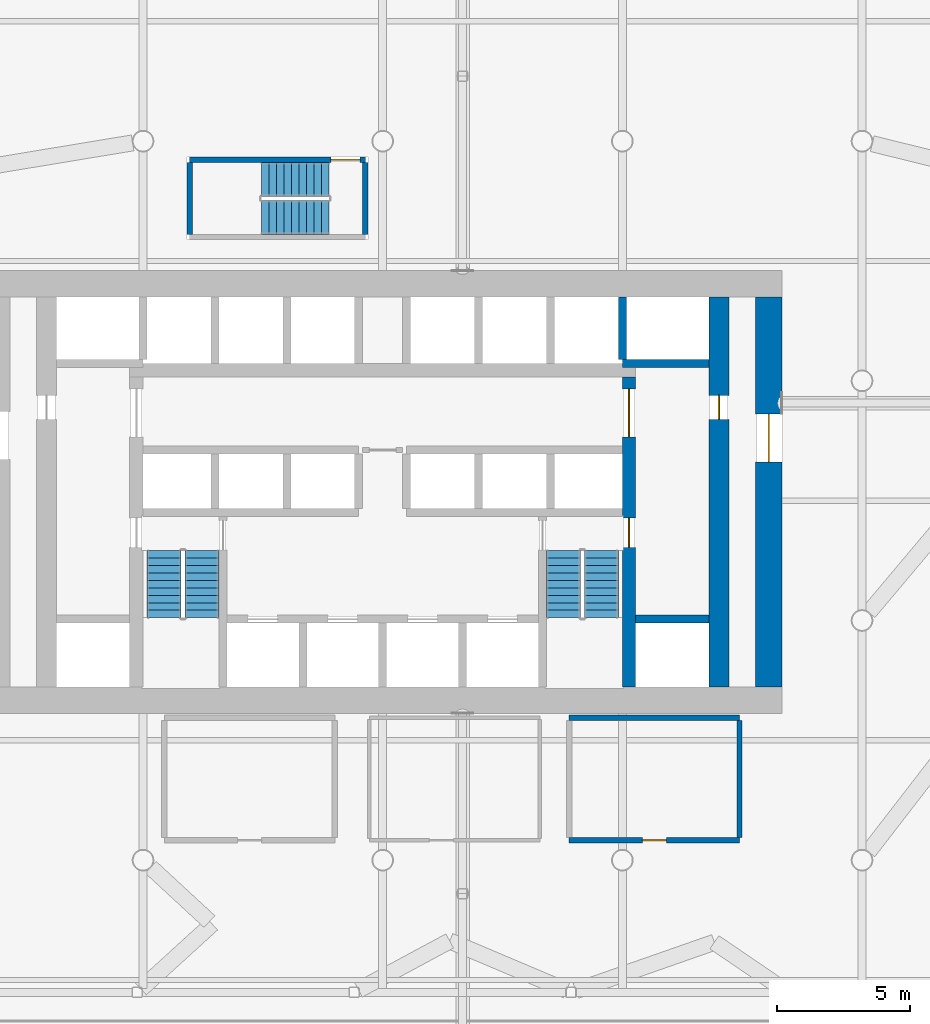
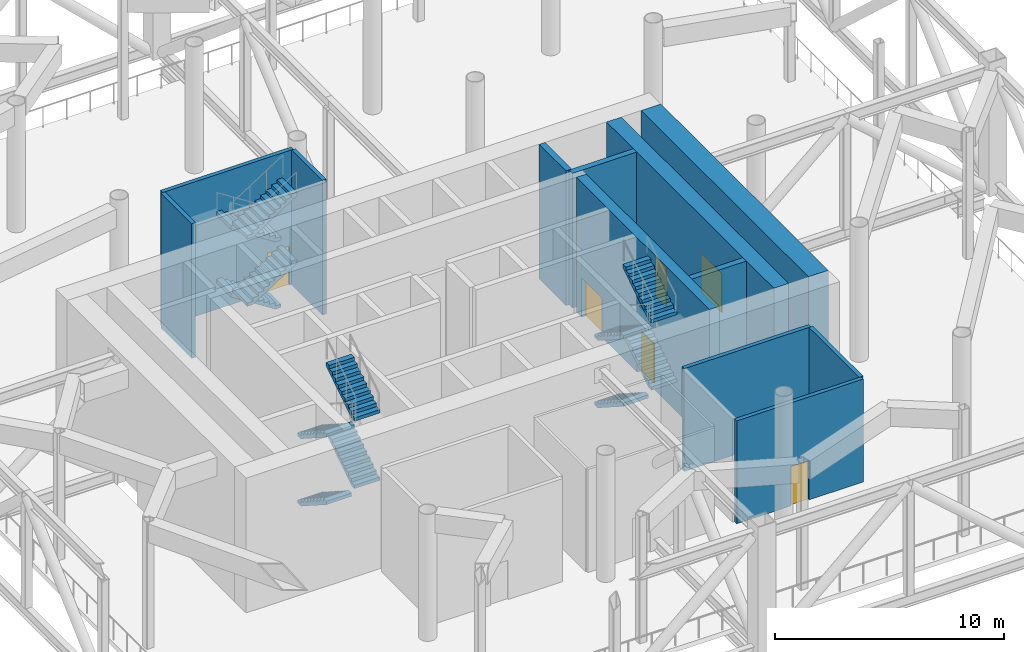
# One storey, part 13 of 20: 12 stair flights, 12 walls, 6 doors, 6 openings, 3 elements without a shape of their own.
"""IFC4 building model written with IfcOpenShell, lengths in metres."""

from ifc_helpers import new_model, si_unit, direction, frame, frame_2d, origin, place, context, subcontext, project, spatial, polyline, rectangle, outline, extrude, material, layer, layer_set, type_object, element, fill, aggregate, save


model = new_model("IFC4")

# Units and contexts
model_context = context("Model", 3, precision=1e-05, world=origin(), true_north=direction((0.0, 1.0)))
body_context = subcontext(model_context, "Body", "Model", "MODEL_VIEW")
ifc_project = project(units=[si_unit("LENGTHUNIT", "METRE"), si_unit("AREAUNIT", "SQUARE_METRE"), si_unit("VOLUMEUNIT", "CUBIC_METRE"), si_unit("PLANEANGLEUNIT", "RADIAN"), si_unit("MASSUNIT", "GRAM", prefix="KILO")], contexts=[model_context])

# Site, building, storey
site_placement = place(None, origin())
site = spatial("IfcSite", under=ifc_project, at=site_placement, CompositionType="ELEMENT")
building_placement = place(site_placement, origin())
building = spatial("IfcBuilding", under=site, at=building_placement, Name="Tskaro Facet Tower", CompositionType="ELEMENT")
storey_placement = place(building_placement, frame((0.0, 0.0, 114.300048828125)))
storey = spatial("IfcBuildingStorey", under=building, at=storey_placement, Name="L27", CompositionType="ELEMENT", Elevation=114.300048828125)

# Walls
ifc_material_1 = material(Name="Concrete C60/75", Category="concrete")
ifc_layer_1 = layer(ifc_material_1, 0.300048828125, Name="Concrete C60/75")
ifc_layer_set_1 = layer_set([ifc_layer_1], Name="Concrete C60/75")
wall_type_1 = type_object("IfcWallType", Name="CORE-SHAFT", PredefinedType="SHEAR", material=ifc_layer_set_1)
wall_1_placement = place(storey_placement, frame((9.5, -8.949951171875, 0.0), z_axis=(0.0, 0.0, 1.0), x_axis=(1.0, 0.0, 0.0)))
element("IfcWall", 1, at=wall_1_placement, inside=storey, type_object=wall_type_1, Name="Shaft wall W009", PredefinedType="SHEAR", context=body_context, shape_type="SweptSolid", body=[
    extrude(rectangle(XDim=2.75, YDim=0.300048828125, at=frame_2d((1.375, 0.0))), origin(), (0.0, 0.0, 1.0), 7.199951171875),
])
wall_2_placement = place(storey_placement, frame((12.25, 0.64990234375, 0.0), z_axis=(0.0, 0.0, 1.0), x_axis=(-1.0, 0.0, 0.0)))
element("IfcWall", 2, at=wall_2_placement, inside=storey, type_object=wall_type_1, Name="Shaft wall W016", PredefinedType="SHEAR", context=body_context, shape_type="SweptSolid", body=[
    extrude(rectangle(XDim=3.25, YDim=0.300048828125, at=frame_2d((1.625, 0.0))), origin(), (0.0, 0.0, 1.0), 7.199951171875),
])
wall_3_placement = place(storey_placement, frame((9.0, 0.800048828125, 0.0), z_axis=(0.0, 0.0, 1.0), x_axis=(0.0, 1.0, 0.0)))
element("IfcWall", 3, at=wall_3_placement, inside=storey, type_object=wall_type_1, Name="Shaft wall W044", PredefinedType="SHEAR", context=body_context, shape_type="SweptSolid", body=[
    extrude(rectangle(XDim=2.349853515625, YDim=0.300048828125, at=frame_2d((1.1748046875, 0.0))), origin(), (0.0, 0.0, 1.0), 7.199951171875),
])

# Wall, opening, door
ifc_layer_2 = layer(ifc_material_1, 1.0, Name="Concrete C60/75")
ifc_layer_set_2 = layer_set([ifc_layer_2], Name="Concrete C60/75")
wall_type_2 = type_object("IfcWallType", Name="Core wall 1000", PredefinedType="SHEAR", material=ifc_layer_set_2)
wall_4_placement = place(storey_placement, frame((14.5, -11.5, 0.0), z_axis=(0.0, 0.0, 1.0), x_axis=(0.0, 1.0, 0.0)))
wall_4 = element("IfcWall", 4, at=wall_4_placement, inside=storey, type_object=wall_type_2, Name="Core wall CW-Z1E", PredefinedType="SHEAR", context=body_context, shape_type="SweptSolid", body=[
    extrude(rectangle(XDim=14.64990234375, YDim=1.0, at=frame_2d((7.324951171875, 0.0))), origin(), (0.0, 0.0, 1.0), 7.199951171875),
])
opening_1_placement = place(wall_4_placement, frame((8.449951171875, 0.0, 0.0)))
opening_1 = element("IfcOpeningElement", 5, at=opening_1_placement, cuts=wall_4, Name="Opening W27-D11", PredefinedType="OPENING", context=body_context, shape_type="SweptSolid", body=[
    extrude(rectangle(XDim=1.800048828125, YDim=2.10009765625, at=frame_2d((0.89990234375, 1.050048828125))), frame((0.0, 0.510009765625, 0.0), z_axis=(0.0, -1.0, 0.0), x_axis=(1.0, 0.0, 0.0)), (0.0, 0.0, 1.0), 1.02001953125),
])
ifc_material_2 = material(Name="Steel", Category="steel")
door_type_1 = type_object("IfcDoorType", Name="D-CORE-PAIR", OperationType="NOTDEFINED", PredefinedType="DOOR", material=ifc_material_2)
door_1_placement = place(opening_1_placement, origin())
door_1 = element("IfcDoor", 6, at=door_1_placement, inside=storey, type_object=door_type_1, Name="Door W27-D11", OperationType="DOUBLE_DOOR_SINGLE_SWING", OverallHeight=2.10009765625, OverallWidth=1.800048828125, PredefinedType="DOOR", context=body_context, shape_type="SweptSolid", body=[
    extrude(rectangle(XDim=1.800048828125, YDim=2.10009765625, at=frame_2d((0.89990234375, 1.050048828125))), frame((0.0, 0.02490234375, 0.0), z_axis=(0.0, -1.0, 0.0), x_axis=(1.0, 0.0, 0.0)), (0.0, 0.0, 1.0), 0.050048828125),
])
fill(opening_1, door_1)

# Wall, openings, doors
ifc_material_3 = material(Name="Concrete C40/50", Category="concrete")
ifc_layer_3 = layer(ifc_material_3, 0.5, Name="Concrete C40/50")
ifc_layer_set_3 = layer_set([ifc_layer_3], Name="Concrete C40/50")
wall_type_3 = type_object("IfcWallType", Name="Core wall 500", PredefinedType="SHEAR", material=ifc_layer_set_3)
wall_5_placement = place(storey_placement, frame((9.25, -11.5, 0.0), z_axis=(0.0, 0.0, 1.0), x_axis=(0.0, 1.0, 0.0)))
wall_5 = element("IfcWall", 7, at=wall_5_placement, inside=storey, type_object=wall_type_3, Name="Core wall CW-Z3E", PredefinedType="SHEAR", context=body_context, shape_type="SweptSolid", body=[
    extrude(rectangle(XDim=11.64990234375, YDim=0.5, at=frame_2d((5.824951171875, 0.0))), origin(), (0.0, 0.0, 1.0), 7.199951171875),
])
opening_2_placement = place(wall_5_placement, frame((9.39990234375, 0.0, 0.0)))
opening_2 = element("IfcOpeningElement", 8, at=opening_2_placement, cuts=wall_5, Name="Opening W27-D07", PredefinedType="OPENING", context=body_context, shape_type="SweptSolid", body=[
    extrude(rectangle(XDim=1.800048828125, YDim=2.10009765625, at=frame_2d((0.89990234375, 1.050048828125))), frame((0.0, 0.260009765625, 0.0), z_axis=(0.0, -1.0, 0.0), x_axis=(1.0, 0.0, 0.0)), (0.0, 0.0, 1.0), 0.52001953125),
])
opening_3_placement = place(wall_5_placement, frame((5.25, 0.0, 0.0)))
opening_3 = element("IfcOpeningElement", 9, at=opening_3_placement, cuts=wall_5, Name="Opening ST-2-D2", PredefinedType="OPENING", context=body_context, shape_type="SweptSolid", body=[
    extrude(rectangle(XDim=1.10009765625, YDim=2.10009765625, at=frame_2d((0.550048828125, 1.050048828125))), frame((0.0, 0.260009765625, 0.0), z_axis=(0.0, -1.0, 0.0), x_axis=(1.0, 0.0, 0.0)), (0.0, 0.0, 1.0), 0.52001953125),
])
door_2_placement = place(opening_2_placement, origin())
door_2 = element("IfcDoor", 10, at=door_2_placement, inside=storey, type_object=door_type_1, Name="Door W27-D07", OperationType="DOUBLE_DOOR_SINGLE_SWING", OverallHeight=2.10009765625, OverallWidth=1.800048828125, PredefinedType="DOOR", context=body_context, shape_type="SweptSolid", body=[
    extrude(rectangle(XDim=1.800048828125, YDim=2.10009765625, at=frame_2d((0.89990234375, 1.050048828125))), frame((0.0, 0.02490234375, 0.0), z_axis=(0.0, -1.0, 0.0), x_axis=(1.0, 0.0, 0.0)), (0.0, 0.0, 1.0), 0.050048828125),
])
fill(opening_2, door_2)
door_type_2 = type_object("IfcDoorType", Name="D-STAIR", OperationType="NOTDEFINED", PredefinedType="DOOR", material=ifc_material_2)
door_3_placement = place(opening_3_placement, origin())
door_3 = element("IfcDoor", 11, at=door_3_placement, inside=storey, type_object=door_type_2, Name="Stair door 2 east", OperationType="SINGLE_SWING_LEFT", OverallHeight=2.10009765625, OverallWidth=1.10009765625, PredefinedType="DOOR", context=body_context, shape_type="SweptSolid", body=[
    extrude(rectangle(XDim=1.10009765625, YDim=2.10009765625, at=frame_2d((0.550048828125, 1.050048828125))), frame((0.0, 0.02490234375, 0.0), z_axis=(0.0, -1.0, 0.0), x_axis=(1.0, 0.0, 0.0)), (0.0, 0.0, 1.0), 0.050048828125),
])
fill(opening_3, door_3)

# Wall, opening, door
ifc_material_4 = material(Name="Concrete C50/60", Category="concrete")
ifc_layer_4 = layer(ifc_material_4, 0.75, Name="Concrete C50/60")
ifc_layer_set_4 = layer_set([ifc_layer_4], Name="Concrete C50/60")
wall_type_4 = type_object("IfcWallType", Name="Core wall 750", PredefinedType="SHEAR", material=ifc_layer_set_4)
wall_6_placement = place(storey_placement, frame((12.625, -11.5, 0.0), z_axis=(0.0, 0.0, 1.0), x_axis=(0.0, 1.0, 0.0)))
wall_6 = element("IfcWall", 12, at=wall_6_placement, inside=storey, type_object=wall_type_4, Name="Core wall CW-Z2E", PredefinedType="SHEAR", context=body_context, shape_type="SweptSolid", body=[
    extrude(rectangle(XDim=14.64990234375, YDim=0.75, at=frame_2d((7.324951171875, 0.0))), origin(), (0.0, 0.0, 1.0), 7.199951171875),
])
opening_4_placement = place(wall_6_placement, frame((10.050048828125, 0.0, 0.0)))
opening_4 = element("IfcOpeningElement", 13, at=opening_4_placement, cuts=wall_6, Name="Opening W27-D10", PredefinedType="OPENING", context=body_context, shape_type="SweptSolid", body=[
    extrude(rectangle(XDim=0.89990234375, YDim=2.10009765625, at=frame_2d((0.449951171875, 1.050048828125))), frame((0.0, 0.385009765625, 0.0), z_axis=(0.0, -1.0, 0.0), x_axis=(1.0, 0.0, 0.0)), (0.0, 0.0, 1.0), 0.77001953125),
])
ifc_material_5 = material(Name="Timber", Category="wood")
door_type_3 = type_object("IfcDoorType", Name="D-ROOM", OperationType="NOTDEFINED", PredefinedType="DOOR", material=ifc_material_5)
door_4_placement = place(opening_4_placement, origin())
door_4 = element("IfcDoor", 14, at=door_4_placement, inside=storey, type_object=door_type_3, Name="Door W27-D10", OperationType="SINGLE_SWING_LEFT", OverallHeight=2.10009765625, OverallWidth=0.89990234375, PredefinedType="DOOR", context=body_context, shape_type="SweptSolid", body=[
    extrude(rectangle(XDim=0.89990234375, YDim=2.10009765625, at=frame_2d((0.449951171875, 1.050048828125))), frame((0.0, 0.02490234375, 0.0), z_axis=(0.0, -1.0, 0.0), x_axis=(1.0, 0.0, 0.0)), (0.0, 0.0, 1.0), 0.050048828125),
])
fill(opening_4, door_4)

ifc_layer_5 = layer(ifc_material_1, 0.199951171875, Name="Concrete C60/75")
ifc_layer_set_5 = layer_set([ifc_layer_5], Name="Concrete C60/75")
wall_type_5 = type_object("IfcWallType", Name="STAIR-WALL", PredefinedType="SHEAR", material=ifc_layer_set_5)
wall_7_placement = place(storey_placement, frame((-0.64990234375, 8.300048828125, 0.0), z_axis=(0.0, 0.0, 1.0), x_axis=(-1.0, 0.0, 0.0)))
wall_7 = element("IfcWall", 15, at=wall_7_placement, inside=storey, type_object=wall_type_5, Name="Stair wall W018", PredefinedType="SHEAR", context=body_context, shape_type="SweptSolid", body=[
    extrude(rectangle(XDim=6.60009765625, YDim=0.199951171875, at=frame_2d((3.300048828125, 0.0))), origin(), (0.0, 0.0, 1.0), 7.199951171875),
])
opening_5_placement = place(wall_7_placement, frame((0.199951171875, 0.0, 0.0)))
opening_5 = element("IfcOpeningElement", 16, at=opening_5_placement, cuts=wall_7, Name="Opening ST-3-D1", PredefinedType="OPENING", context=body_context, shape_type="SweptSolid", body=[
    extrude(rectangle(XDim=1.10009765625, YDim=2.10009765625, at=frame_2d((0.550048828125, 1.050048828125))), frame((0.0, 0.10986328125, 0.0), z_axis=(0.0, -1.0, 0.0), x_axis=(1.0, 0.0, 0.0)), (0.0, 0.0, 1.0), 0.219970703125),
])
door_5_placement = place(opening_5_placement, origin())
door_5 = element("IfcDoor", 17, at=door_5_placement, inside=storey, type_object=door_type_2, Name="Stair door 3", OperationType="SINGLE_SWING_RIGHT", OverallHeight=2.10009765625, OverallWidth=1.10009765625, PredefinedType="DOOR", context=body_context, shape_type="SweptSolid", body=[
    extrude(rectangle(XDim=1.10009765625, YDim=2.10009765625, at=frame_2d((0.550048828125, 1.050048828125))), frame((0.0, 0.02490234375, 0.0), z_axis=(0.0, -1.0, 0.0), x_axis=(1.0, 0.0, 0.0)), (0.0, 0.0, 1.0), 0.050048828125),
])
fill(opening_5, door_5)

# Walls
for number, where, z_axis, x_axis, name in (
    (18, (-7.25, 5.5, 0.0), (0.0, 0.0, 1.0), (0.0, 1.0, 0.0), "Stair wall W021"),
    (19, (-0.64990234375, 5.5, 0.0), (0.0, 0.0, 1.0), (0.0, 1.0, 0.0), "Stair wall W031"),
):
    element("IfcWall", number, at=place(storey_placement, frame(where, z_axis=z_axis, x_axis=x_axis)), inside=storey, type_object=wall_type_5, Name=name, PredefinedType="SHEAR", context=body_context, shape_type="SweptSolid", body=[
        extrude(rectangle(XDim=2.699951171875, YDim=0.199951171875, at=frame_2d((1.35009765625, 0.0))), origin(), (0.0, 0.0, 1.0), 7.199951171875),
    ])

# Wall, opening, door
ifc_material_6 = material(Name="Concrete C20/25", Category="concrete")
ifc_layer_6 = layer(ifc_material_6, 0.199951171875, Name="Concrete C20/25")
ifc_layer_set_6 = layer_set([ifc_layer_6], Name="Concrete C20/25")
wall_type_6 = type_object("IfcWallType", Name="WALL-RISER", PredefinedType="SOLIDWALL", material=ifc_layer_set_6)
wall_8_placement = place(storey_placement, frame((7.0, -17.25, 0.0), z_axis=(0.0, 0.0, 1.0), x_axis=(1.0, 0.0, 0.0)))
wall_8 = element("IfcWall", 20, at=wall_8_placement, inside=storey, type_object=wall_type_6, Name="Riser room wall W003", PredefinedType="SOLIDWALL", context=body_context, shape_type="SweptSolid", body=[
    extrude(rectangle(XDim=6.39990234375, YDim=0.199951171875, at=frame_2d((3.199951171875, 0.0))), origin(), (0.0, 0.0, 1.0), 5.5),
])
opening_6_placement = place(wall_8_placement, frame((2.75, 0.0, 0.0)))
opening_6 = element("IfcOpeningElement", 21, at=opening_6_placement, cuts=wall_8, Name="Opening W27-D03", PredefinedType="OPENING", context=body_context, shape_type="SweptSolid", body=[
    extrude(rectangle(XDim=0.89990234375, YDim=2.10009765625, at=frame_2d((0.449951171875, 1.050048828125))), frame((0.0, 0.10986328125, 0.0), z_axis=(0.0, -1.0, 0.0), x_axis=(1.0, 0.0, 0.0)), (0.0, 0.0, 1.0), 0.219970703125),
])
door_type_4 = type_object("IfcDoorType", Name="D-RISER", OperationType="NOTDEFINED", PredefinedType="DOOR", material=ifc_material_2)
door_6_placement = place(opening_6_placement, origin())
door_6 = element("IfcDoor", 22, at=door_6_placement, inside=storey, type_object=door_type_4, Name="Door W27-D03", OperationType="SINGLE_SWING_LEFT", OverallHeight=2.10009765625, OverallWidth=0.89990234375, PredefinedType="DOOR", context=body_context, shape_type="SweptSolid", body=[
    extrude(rectangle(XDim=0.89990234375, YDim=2.10009765625, at=frame_2d((0.449951171875, 1.050048828125))), frame((0.0, 0.02490234375, 0.0), z_axis=(0.0, -1.0, 0.0), x_axis=(1.0, 0.0, 0.0)), (0.0, 0.0, 1.0), 0.050048828125),
])
fill(opening_6, door_6)

# Walls
wall_9_placement = place(storey_placement, frame((7.0, -12.64990234375, 0.0), z_axis=(0.0, 0.0, 1.0), x_axis=(1.0, 0.0, 0.0)))
element("IfcWall", 23, at=wall_9_placement, inside=storey, type_object=wall_type_6, Name="Riser room wall W006", PredefinedType="SOLIDWALL", context=body_context, shape_type="SweptSolid", body=[
    extrude(rectangle(XDim=6.39990234375, YDim=0.199951171875, at=frame_2d((3.199951171875, 0.0))), origin(), (0.0, 0.0, 1.0), 5.5),
])
wall_10_placement = place(storey_placement, frame((13.39990234375, -17.14990234375, 0.0), z_axis=(0.0, 0.0, 1.0), x_axis=(0.0, 1.0, 0.0)))
element("IfcWall", 24, at=wall_10_placement, inside=storey, type_object=wall_type_6, Name="Riser room wall W045", PredefinedType="SOLIDWALL", context=body_context, shape_type="SweptSolid", body=[
    extrude(rectangle(XDim=4.39990234375, YDim=0.199951171875, at=frame_2d((2.199951171875, 0.0))), origin(), (0.0, 0.0, 1.0), 5.5),
])

# Stair, stair flights
stair_type = type_object("IfcStairType", Name="ST-TWR", PredefinedType="HALF_TURN_STAIR", material=ifc_material_3)
stair_1_placement = place(storey_placement, origin())
stair_1 = element("IfcStair", 25, at=stair_1_placement, inside=storey, type_object=stair_type, Name="L27 Exit stair 1", PredefinedType="HALF_TURN_STAIR")
stair_flight_type = type_object("IfcStairFlightType", Name="SFL-RC", PredefinedType="STRAIGHT", material=ifc_material_3)
stair_flight_1_placement = place(storey_placement, frame((-8.21240234375, -6.375, 0.0), z_axis=(0.0, 0.0, 1.0), x_axis=(0.0, -1.0, 0.0)))
stair_flight_1 = element("IfcStairFlight", 26, at=stair_flight_1_placement, type_object=stair_flight_type, Name="ST-1 flight 1", NumberOfRisers=10, NumberOfTreads=9, PredefinedType="STRAIGHT", RiserHeight=0.18, TreadLength=0.28, context=body_context, shape_type="SweptSolid", body=[
    extrude(outline(polyline([(0.0, 0.0), (0.0, 0.179931640625), (0.280029296875, 0.179931640625), (0.280029296875, 0.360107421875), (0.56005859375, 0.360107421875), (0.56005859375, 0.5400390625), (0.840087890625, 0.5400390625), (0.840087890625, 0.719970703125), (1.1201171875, 0.719970703125), (1.1201171875, 0.89990234375), (1.39990234375, 0.89990234375), (1.39990234375, 1.080078125), (1.679931640625, 1.080078125), (1.679931640625, 1.260009765625), (1.9599609375, 1.260009765625), (1.9599609375, 1.43994140625), (2.239990234375, 1.43994140625), (2.239990234375, 1.6201171875), (2.52001953125, 1.6201171875), (2.52001953125, 1.800048828125), (2.52001953125, 1.44189453125), (0.277099609375, 0.0), (0.0, 0.0)])), frame((0.0, 0.637451171875, 0.0), z_axis=(0.0, -1.0, 0.0), x_axis=(1.0, 0.0, 0.0)), (0.0, 0.0, 1.0), 1.27490234375),
])
stair_flight_2_placement = place(storey_placement, frame((-6.78759765625, -8.89501953125, 1.800048828125), z_axis=(0.0, 0.0, 1.0), x_axis=(0.0, 1.0, 0.0)))
stair_flight_2 = element("IfcStairFlight", 27, at=stair_flight_2_placement, type_object=stair_flight_type, Name="ST-1 flight 2", NumberOfRisers=10, NumberOfTreads=9, PredefinedType="STRAIGHT", RiserHeight=0.18, TreadLength=0.28, context=body_context, shape_type="SweptSolid", body=[
    extrude(outline(polyline([(0.0, 0.0), (0.0, 0.179931640625), (0.280029296875, 0.179931640625), (0.280029296875, 0.360107421875), (0.56005859375, 0.360107421875), (0.56005859375, 0.5400390625), (0.840087890625, 0.5400390625), (0.840087890625, 0.719970703125), (1.1201171875, 0.719970703125), (1.1201171875, 0.89990234375), (1.39990234375, 0.89990234375), (1.39990234375, 1.080078125), (1.679931640625, 1.080078125), (1.679931640625, 1.260009765625), (1.9599609375, 1.260009765625), (1.9599609375, 1.43994140625), (2.239990234375, 1.43994140625), (2.239990234375, 1.6201171875), (2.52001953125, 1.6201171875), (2.52001953125, 1.800048828125), (2.52001953125, 1.44189453125), (0.277099609375, 0.0), (0.0, 0.0)])), frame((0.0, 0.637451171875, 0.0), z_axis=(0.0, -1.0, 0.0), x_axis=(1.0, 0.0, 0.0)), (0.0, 0.0, 1.0), 1.27490234375),
])
stair_flight_3_placement = place(storey_placement, frame((-8.21240234375, -6.375, 3.599853515625), z_axis=(0.0, 0.0, 1.0), x_axis=(0.0, -1.0, 0.0)))
stair_flight_3 = element("IfcStairFlight", 28, at=stair_flight_3_placement, type_object=stair_flight_type, Name="ST-1 flight 3", NumberOfRisers=10, NumberOfTreads=9, PredefinedType="STRAIGHT", RiserHeight=0.18, TreadLength=0.28, context=body_context, shape_type="SweptSolid", body=[
    extrude(outline(polyline([(0.0, 0.0), (0.0, 0.179931640625), (0.280029296875, 0.179931640625), (0.280029296875, 0.360107421875), (0.56005859375, 0.360107421875), (0.56005859375, 0.5400390625), (0.840087890625, 0.5400390625), (0.840087890625, 0.719970703125), (1.1201171875, 0.719970703125), (1.1201171875, 0.89990234375), (1.39990234375, 0.89990234375), (1.39990234375, 1.080078125), (1.679931640625, 1.080078125), (1.679931640625, 1.260009765625), (1.9599609375, 1.260009765625), (1.9599609375, 1.43994140625), (2.239990234375, 1.43994140625), (2.239990234375, 1.6201171875), (2.52001953125, 1.6201171875), (2.52001953125, 1.800048828125), (2.52001953125, 1.44189453125), (0.277099609375, 0.0), (0.0, 0.0)])), frame((0.0, 0.637451171875, 0.0), z_axis=(0.0, -1.0, 0.0), x_axis=(1.0, 0.0, 0.0)), (0.0, 0.0, 1.0), 1.27490234375),
])
stair_flight_4_placement = place(storey_placement, frame((-6.78759765625, -8.89501953125, 5.39990234375), z_axis=(0.0, 0.0, 1.0), x_axis=(0.0, 1.0, 0.0)))
stair_flight_4 = element("IfcStairFlight", 29, at=stair_flight_4_placement, type_object=stair_flight_type, Name="ST-1 flight 4", NumberOfRisers=10, NumberOfTreads=9, PredefinedType="STRAIGHT", RiserHeight=0.18, TreadLength=0.28, context=body_context, shape_type="SweptSolid", body=[
    extrude(outline(polyline([(0.0, 0.0), (0.0, 0.179931640625), (0.280029296875, 0.179931640625), (0.280029296875, 0.360107421875), (0.56005859375, 0.360107421875), (0.56005859375, 0.5400390625), (0.840087890625, 0.5400390625), (0.840087890625, 0.719970703125), (1.1201171875, 0.719970703125), (1.1201171875, 0.89990234375), (1.39990234375, 0.89990234375), (1.39990234375, 1.080078125), (1.679931640625, 1.080078125), (1.679931640625, 1.260009765625), (1.9599609375, 1.260009765625), (1.9599609375, 1.43994140625), (2.239990234375, 1.43994140625), (2.239990234375, 1.6201171875), (2.52001953125, 1.6201171875), (2.52001953125, 1.800048828125), (2.52001953125, 1.44189453125), (0.277099609375, 0.0), (0.0, 0.0)])), frame((0.0, 0.637451171875, 0.0), z_axis=(0.0, -1.0, 0.0), x_axis=(1.0, 0.0, 0.0)), (0.0, 0.0, 1.0), 1.27490234375),
])
aggregate(stair_1, [stair_flight_1, stair_flight_2, stair_flight_3, stair_flight_4])

stair_2_placement = place(storey_placement, origin())
stair_2 = element("IfcStair", 30, at=stair_2_placement, inside=storey, type_object=stair_type, Name="L27 Exit stair 2", PredefinedType="HALF_TURN_STAIR")
stair_flight_5_placement = place(storey_placement, frame((6.78759765625, -6.375, 0.0), z_axis=(0.0, 0.0, 1.0), x_axis=(0.0, -1.0, 0.0)))
stair_flight_5 = element("IfcStairFlight", 31, at=stair_flight_5_placement, type_object=stair_flight_type, Name="ST-2 flight 1", NumberOfRisers=10, NumberOfTreads=9, PredefinedType="STRAIGHT", RiserHeight=0.18, TreadLength=0.28, context=body_context, shape_type="SweptSolid", body=[
    extrude(outline(polyline([(0.0, 0.0), (0.0, 0.179931640625), (0.280029296875, 0.179931640625), (0.280029296875, 0.360107421875), (0.56005859375, 0.360107421875), (0.56005859375, 0.5400390625), (0.840087890625, 0.5400390625), (0.840087890625, 0.719970703125), (1.1201171875, 0.719970703125), (1.1201171875, 0.89990234375), (1.39990234375, 0.89990234375), (1.39990234375, 1.080078125), (1.679931640625, 1.080078125), (1.679931640625, 1.260009765625), (1.9599609375, 1.260009765625), (1.9599609375, 1.43994140625), (2.239990234375, 1.43994140625), (2.239990234375, 1.6201171875), (2.52001953125, 1.6201171875), (2.52001953125, 1.800048828125), (2.52001953125, 1.44189453125), (0.277099609375, 0.0), (0.0, 0.0)])), frame((0.0, 0.637451171875, 0.0), z_axis=(0.0, -1.0, 0.0), x_axis=(1.0, 0.0, 0.0)), (0.0, 0.0, 1.0), 1.27490234375),
])
stair_flight_6_placement = place(storey_placement, frame((8.21240234375, -8.89501953125, 1.800048828125), z_axis=(0.0, 0.0, 1.0), x_axis=(0.0, 1.0, 0.0)))
stair_flight_6 = element("IfcStairFlight", 32, at=stair_flight_6_placement, type_object=stair_flight_type, Name="ST-2 flight 2", NumberOfRisers=10, NumberOfTreads=9, PredefinedType="STRAIGHT", RiserHeight=0.18, TreadLength=0.28, context=body_context, shape_type="SweptSolid", body=[
    extrude(outline(polyline([(0.0, 0.0), (0.0, 0.179931640625), (0.280029296875, 0.179931640625), (0.280029296875, 0.360107421875), (0.56005859375, 0.360107421875), (0.56005859375, 0.5400390625), (0.840087890625, 0.5400390625), (0.840087890625, 0.719970703125), (1.1201171875, 0.719970703125), (1.1201171875, 0.89990234375), (1.39990234375, 0.89990234375), (1.39990234375, 1.080078125), (1.679931640625, 1.080078125), (1.679931640625, 1.260009765625), (1.9599609375, 1.260009765625), (1.9599609375, 1.43994140625), (2.239990234375, 1.43994140625), (2.239990234375, 1.6201171875), (2.52001953125, 1.6201171875), (2.52001953125, 1.800048828125), (2.52001953125, 1.44189453125), (0.277099609375, 0.0), (0.0, 0.0)])), frame((0.0, 0.637451171875, 0.0), z_axis=(0.0, -1.0, 0.0), x_axis=(1.0, 0.0, 0.0)), (0.0, 0.0, 1.0), 1.27490234375),
])
stair_flight_7_placement = place(storey_placement, frame((6.78759765625, -6.375, 3.599853515625), z_axis=(0.0, 0.0, 1.0), x_axis=(0.0, -1.0, 0.0)))
stair_flight_7 = element("IfcStairFlight", 33, at=stair_flight_7_placement, type_object=stair_flight_type, Name="ST-2 flight 3", NumberOfRisers=10, NumberOfTreads=9, PredefinedType="STRAIGHT", RiserHeight=0.18, TreadLength=0.28, context=body_context, shape_type="SweptSolid", body=[
    extrude(outline(polyline([(0.0, 0.0), (0.0, 0.179931640625), (0.280029296875, 0.179931640625), (0.280029296875, 0.360107421875), (0.56005859375, 0.360107421875), (0.56005859375, 0.5400390625), (0.840087890625, 0.5400390625), (0.840087890625, 0.719970703125), (1.1201171875, 0.719970703125), (1.1201171875, 0.89990234375), (1.39990234375, 0.89990234375), (1.39990234375, 1.080078125), (1.679931640625, 1.080078125), (1.679931640625, 1.260009765625), (1.9599609375, 1.260009765625), (1.9599609375, 1.43994140625), (2.239990234375, 1.43994140625), (2.239990234375, 1.6201171875), (2.52001953125, 1.6201171875), (2.52001953125, 1.800048828125), (2.52001953125, 1.44189453125), (0.277099609375, 0.0), (0.0, 0.0)])), frame((0.0, 0.637451171875, 0.0), z_axis=(0.0, -1.0, 0.0), x_axis=(1.0, 0.0, 0.0)), (0.0, 0.0, 1.0), 1.27490234375),
])
stair_flight_8_placement = place(storey_placement, frame((8.21240234375, -8.89501953125, 5.39990234375), z_axis=(0.0, 0.0, 1.0), x_axis=(0.0, 1.0, 0.0)))
stair_flight_8 = element("IfcStairFlight", 34, at=stair_flight_8_placement, type_object=stair_flight_type, Name="ST-2 flight 4", NumberOfRisers=10, NumberOfTreads=9, PredefinedType="STRAIGHT", RiserHeight=0.18, TreadLength=0.28, context=body_context, shape_type="SweptSolid", body=[
    extrude(outline(polyline([(0.0, 0.0), (0.0, 0.179931640625), (0.280029296875, 0.179931640625), (0.280029296875, 0.360107421875), (0.56005859375, 0.360107421875), (0.56005859375, 0.5400390625), (0.840087890625, 0.5400390625), (0.840087890625, 0.719970703125), (1.1201171875, 0.719970703125), (1.1201171875, 0.89990234375), (1.39990234375, 0.89990234375), (1.39990234375, 1.080078125), (1.679931640625, 1.080078125), (1.679931640625, 1.260009765625), (1.9599609375, 1.260009765625), (1.9599609375, 1.43994140625), (2.239990234375, 1.43994140625), (2.239990234375, 1.6201171875), (2.52001953125, 1.6201171875), (2.52001953125, 1.800048828125), (2.52001953125, 1.44189453125), (0.277099609375, 0.0), (0.0, 0.0)])), frame((0.0, 0.637451171875, 0.0), z_axis=(0.0, -1.0, 0.0), x_axis=(1.0, 0.0, 0.0)), (0.0, 0.0, 1.0), 1.27490234375),
])
aggregate(stair_2, [stair_flight_5, stair_flight_6, stair_flight_7, stair_flight_8])

stair_3_placement = place(storey_placement, origin())
stair_3 = element("IfcStair", 35, at=stair_3_placement, inside=storey, type_object=stair_type, Name="L27 Exit stair 3", PredefinedType="HALF_TURN_STAIR")
stair_flight_9_placement = place(storey_placement, frame((-2.02490234375, 7.5625, 0.0), z_axis=(0.0, 0.0, 1.0), x_axis=(-1.0, 0.0, 0.0)))
stair_flight_9 = element("IfcStairFlight", 36, at=stair_flight_9_placement, type_object=stair_flight_type, Name="ST-3 flight 1", NumberOfRisers=10, NumberOfTreads=9, PredefinedType="STRAIGHT", RiserHeight=0.18, TreadLength=0.28, context=body_context, shape_type="SweptSolid", body=[
    extrude(outline(polyline([(0.0, 0.0), (0.0, 0.179931640625), (0.280029296875, 0.179931640625), (0.280029296875, 0.360107421875), (0.56005859375, 0.360107421875), (0.56005859375, 0.5400390625), (0.840087890625, 0.5400390625), (0.840087890625, 0.719970703125), (1.1201171875, 0.719970703125), (1.1201171875, 0.89990234375), (1.39990234375, 0.89990234375), (1.39990234375, 1.080078125), (1.679931640625, 1.080078125), (1.679931640625, 1.260009765625), (1.9599609375, 1.260009765625), (1.9599609375, 1.43994140625), (2.239990234375, 1.43994140625), (2.239990234375, 1.6201171875), (2.52001953125, 1.6201171875), (2.52001953125, 1.800048828125), (2.52001953125, 1.44189453125), (0.277099609375, 0.0), (0.0, 0.0)])), frame((0.0, 0.637451171875, 0.0), z_axis=(0.0, -1.0, 0.0), x_axis=(1.0, 0.0, 0.0)), (0.0, 0.0, 1.0), 1.27490234375),
])
stair_flight_10_placement = place(storey_placement, frame((-4.544921875, 6.137451171875, 1.800048828125), z_axis=(0.0, 0.0, 1.0), x_axis=(1.0, 0.0, 0.0)))
stair_flight_10 = element("IfcStairFlight", 37, at=stair_flight_10_placement, type_object=stair_flight_type, Name="ST-3 flight 2", NumberOfRisers=10, NumberOfTreads=9, PredefinedType="STRAIGHT", RiserHeight=0.18, TreadLength=0.28, context=body_context, shape_type="SweptSolid", body=[
    extrude(outline(polyline([(0.0, 0.0), (0.0, 0.179931640625), (0.280029296875, 0.179931640625), (0.280029296875, 0.360107421875), (0.56005859375, 0.360107421875), (0.56005859375, 0.5400390625), (0.840087890625, 0.5400390625), (0.840087890625, 0.719970703125), (1.1201171875, 0.719970703125), (1.1201171875, 0.89990234375), (1.39990234375, 0.89990234375), (1.39990234375, 1.080078125), (1.679931640625, 1.080078125), (1.679931640625, 1.260009765625), (1.9599609375, 1.260009765625), (1.9599609375, 1.43994140625), (2.239990234375, 1.43994140625), (2.239990234375, 1.6201171875), (2.52001953125, 1.6201171875), (2.52001953125, 1.800048828125), (2.52001953125, 1.44189453125), (0.277099609375, 0.0), (0.0, 0.0)])), frame((0.0, 0.637451171875, 0.0), z_axis=(0.0, -1.0, 0.0), x_axis=(1.0, 0.0, 0.0)), (0.0, 0.0, 1.0), 1.27490234375),
])
stair_flight_11_placement = place(storey_placement, frame((-2.02490234375, 7.5625, 3.599853515625), z_axis=(0.0, 0.0, 1.0), x_axis=(-1.0, 0.0, 0.0)))
stair_flight_11 = element("IfcStairFlight", 38, at=stair_flight_11_placement, type_object=stair_flight_type, Name="ST-3 flight 3", NumberOfRisers=10, NumberOfTreads=9, PredefinedType="STRAIGHT", RiserHeight=0.18, TreadLength=0.28, context=body_context, shape_type="SweptSolid", body=[
    extrude(outline(polyline([(0.0, 0.0), (0.0, 0.179931640625), (0.280029296875, 0.179931640625), (0.280029296875, 0.360107421875), (0.56005859375, 0.360107421875), (0.56005859375, 0.5400390625), (0.840087890625, 0.5400390625), (0.840087890625, 0.719970703125), (1.1201171875, 0.719970703125), (1.1201171875, 0.89990234375), (1.39990234375, 0.89990234375), (1.39990234375, 1.080078125), (1.679931640625, 1.080078125), (1.679931640625, 1.260009765625), (1.9599609375, 1.260009765625), (1.9599609375, 1.43994140625), (2.239990234375, 1.43994140625), (2.239990234375, 1.6201171875), (2.52001953125, 1.6201171875), (2.52001953125, 1.800048828125), (2.52001953125, 1.44189453125), (0.277099609375, 0.0), (0.0, 0.0)])), frame((0.0, 0.637451171875, 0.0), z_axis=(0.0, -1.0, 0.0), x_axis=(1.0, 0.0, 0.0)), (0.0, 0.0, 1.0), 1.27490234375),
])
stair_flight_12_placement = place(storey_placement, frame((-4.544921875, 6.137451171875, 5.39990234375), z_axis=(0.0, 0.0, 1.0), x_axis=(1.0, 0.0, 0.0)))
stair_flight_12 = element("IfcStairFlight", 39, at=stair_flight_12_placement, type_object=stair_flight_type, Name="ST-3 flight 4", NumberOfRisers=10, NumberOfTreads=9, PredefinedType="STRAIGHT", RiserHeight=0.18, TreadLength=0.28, context=body_context, shape_type="SweptSolid", body=[
    extrude(outline(polyline([(0.0, 0.0), (0.0, 0.179931640625), (0.280029296875, 0.179931640625), (0.280029296875, 0.360107421875), (0.56005859375, 0.360107421875), (0.56005859375, 0.5400390625), (0.840087890625, 0.5400390625), (0.840087890625, 0.719970703125), (1.1201171875, 0.719970703125), (1.1201171875, 0.89990234375), (1.39990234375, 0.89990234375), (1.39990234375, 1.080078125), (1.679931640625, 1.080078125), (1.679931640625, 1.260009765625), (1.9599609375, 1.260009765625), (1.9599609375, 1.43994140625), (2.239990234375, 1.43994140625), (2.239990234375, 1.6201171875), (2.52001953125, 1.6201171875), (2.52001953125, 1.800048828125), (2.52001953125, 1.44189453125), (0.277099609375, 0.0), (0.0, 0.0)])), frame((0.0, 0.637451171875, 0.0), z_axis=(0.0, -1.0, 0.0), x_axis=(1.0, 0.0, 0.0)), (0.0, 0.0, 1.0), 1.27490234375),
])
aggregate(stair_3, [stair_flight_9, stair_flight_10, stair_flight_11, stair_flight_12])

save(model, "model.ifc")
